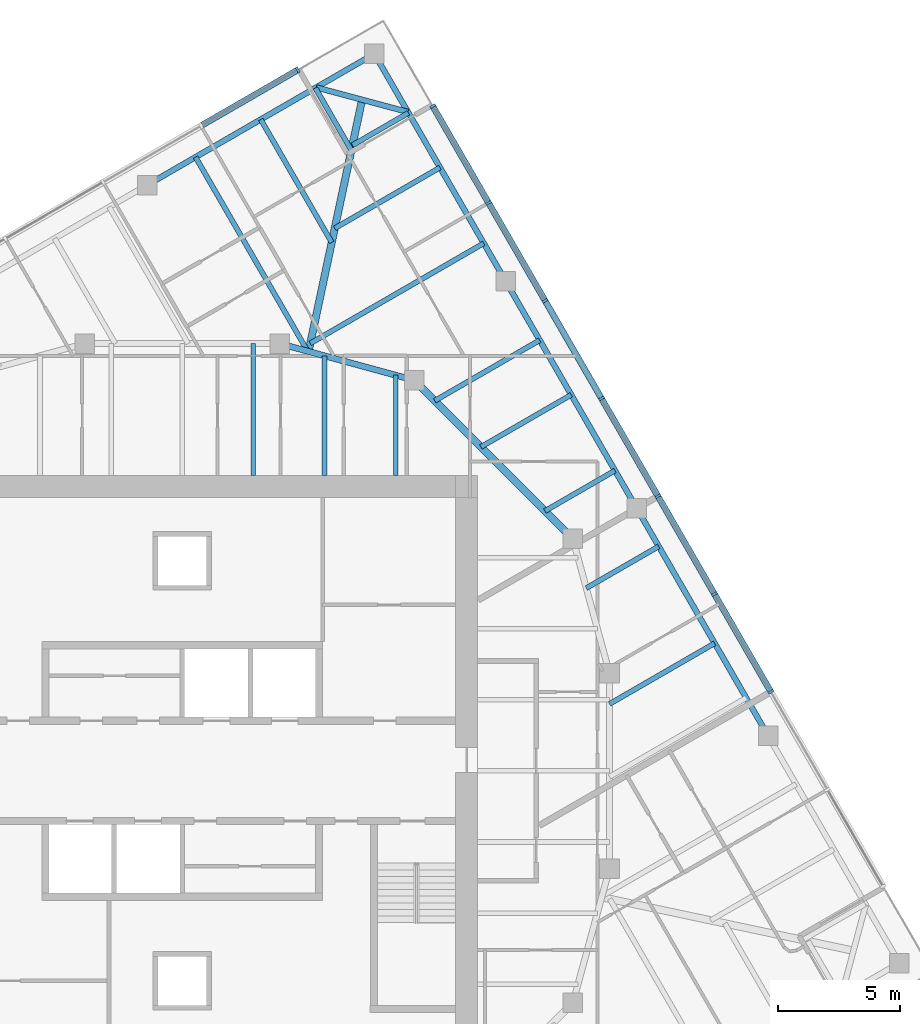
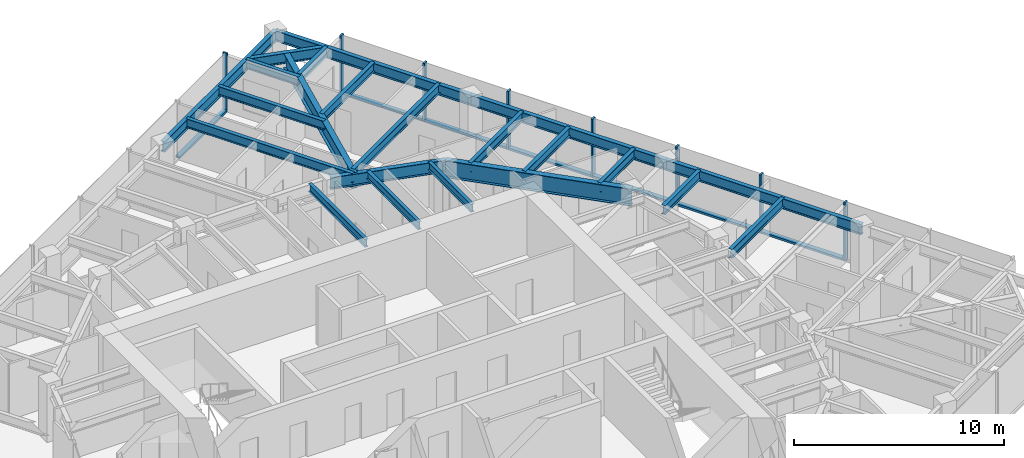
# One storey, part 5 of 13: 22 beams, 15 members, 2 elements without a shape of their own.
"""IFC4 building model written with IfcOpenShell, lengths in metres."""

from ifc_helpers import new_model, si_unit, direction, frame, origin, origin_2d, place, context, subcontext, project, spatial, rectangle, i_section, extrude, material, material_profile, profile_set, type_object, element, aggregate, save


model = new_model("IFC4")

# Units and contexts
model_context = context("Model", 3, precision=1e-05, world=origin(), true_north=direction((0.0, 1.0)))
body_context = subcontext(model_context, "Body", "Model", "MODEL_VIEW")
ifc_project = project(units=[si_unit("LENGTHUNIT", "METRE"), si_unit("AREAUNIT", "SQUARE_METRE"), si_unit("VOLUMEUNIT", "CUBIC_METRE"), si_unit("PLANEANGLEUNIT", "RADIAN"), si_unit("MASSUNIT", "GRAM", prefix="KILO")], contexts=[model_context])

# Site, building, storey
site_placement = place(None, origin())
site = spatial("IfcSite", under=ifc_project, at=site_placement, CompositionType="ELEMENT")
building_placement = place(site_placement, origin())
building = spatial("IfcBuilding", under=site, at=building_placement, Name="Torsade Residences", CompositionType="ELEMENT")
storey_placement = place(building_placement, frame((0.0, 0.0, 215.0)))
storey = spatial("IfcBuildingStorey", under=building, at=storey_placement, Name="L59", CompositionType="ELEMENT", Elevation=215.0)

# Beams
ifc_material_1 = material(Name="Steel grade 300", Category="steel")
ifc_material_profile_1 = material_profile(ifc_material_1, i_section(OverallWidth=0.300048828125, OverallDepth=0.89990234375, WebThickness=0.011962890625, FlangeThickness=0.02490234375, at=origin_2d()), Name="900WB175")
ifc_profile_set_1 = profile_set([ifc_material_profile_1], Name="Steel grade 300")
beam_type_1 = type_object("IfcBeamType", Name="CORNER GIRDER 900WB175", PredefinedType="BEAM", material=ifc_profile_set_1)
beam_1_placement = place(storey_placement, frame((47.3662109375, 57.4912109375, 2.800048828125), z_axis=(-0.20806427425, -0.978115155685, 0.0), x_axis=(0.978115155685, -0.20806427425, 0.0)))
element("IfcBeam", 1, at=beam_1_placement, inside=storey, type_object=beam_type_1, Name="Corner girder 09 L60", PredefinedType="BEAM", context=body_context, shape_type="SweptSolid", body=[
    extrude(i_section(OverallWidth=0.300048828125, OverallDepth=0.89990234375, WebThickness=0.011962890625, FlangeThickness=0.02490234375, at=origin_2d()), origin(), (0.0, 0.0, 1.0), 10.541748046875),
])
ifc_material_2 = material(Name="Steel grade 300", Category="steel")
ifc_material_profile_2 = material_profile(ifc_material_2, i_section(OverallWidth=0.22802734375, OverallDepth=0.60205078125, WebThickness=0.010498046875, FlangeThickness=0.014892578125, FilletRadius=0.013916015625, at=origin_2d()), Name="610UB101")
ifc_profile_set_2 = profile_set([ifc_material_profile_2], Name="Steel grade 300")
beam_type_2 = type_object("IfcBeamType", Name="CORNER TRIMMER 610UB101", PredefinedType="BEAM", material=ifc_profile_set_2)
beam_2_placement = place(storey_placement, frame((45.488037109375, 57.99462890625, 2.948974609375), z_axis=(0.965924794002, -0.258822897619, 0.0), x_axis=(0.258822897619, 0.965924794002, 0.0)))
element("IfcBeam", 2, at=beam_2_placement, inside=storey, type_object=beam_type_2, Name="Corner trimmer 09 L60", PredefinedType="BEAM", context=body_context, shape_type="SweptSolid", body=[
    extrude(i_section(OverallWidth=0.22802734375, OverallDepth=0.60205078125, WebThickness=0.010498046875, FlangeThickness=0.014892578125, FilletRadius=0.013916015625, at=origin_2d()), origin(), (0.0, 0.0, 1.0), 3.88916015625),
])
ifc_material_3 = material(Name="Steel grade 300", Category="steel")
ifc_material_profile_3 = material_profile(ifc_material_3, i_section(OverallWidth=0.22900390625, OverallDepth=0.612060546875, WebThickness=0.011962890625, FlangeThickness=0.01953125, FilletRadius=0.013916015625, at=origin_2d()), Name="610UB125")
ifc_profile_set_3 = profile_set([ifc_material_profile_3], Name="Steel grade 300")
beam_type_3 = type_object("IfcBeamType", Name="EDGE BEAM 610UB125", PredefinedType="SPANDREL", material=ifc_profile_set_3)
for number, where, z_axis, x_axis, name in (
    (3, (63.99462890625, 31.440185546875, 2.944091796875), (-0.499998333915, 0.866026365697, 0.0), (-0.866026365697, -0.499998333915, 0.0), "Edge beam 06 L60"),
    (4, (58.61962890625, 40.75, 2.944091796875), (-0.499998333915, 0.866026365697, 0.0), (-0.866026365697, -0.499998333915, 0.0), "Edge beam 07 L60"),
    (5, (53.24462890625, 50.059814453125, 2.944091796875), (-0.499998333915, 0.866026365697, 0.0), (-0.866026365697, -0.499998333915, 0.0), "Edge beam 08 L60"),
    (6, (47.86962890625, 59.36962890625, 2.944091796875), (-0.866026365697, -0.499998333915, 0.0), (0.499998333915, -0.866026365697, 0.0), "Edge beam 09 L60"),
):
    element("IfcBeam", number, at=place(storey_placement, frame(where, z_axis=z_axis, x_axis=x_axis)), inside=storey, type_object=beam_type_3, Name=name, PredefinedType="SPANDREL", context=body_context, shape_type="SweptSolid", body=[
        extrude(i_section(OverallWidth=0.22900390625, OverallDepth=0.612060546875, WebThickness=0.011962890625, FlangeThickness=0.01953125, FilletRadius=0.013916015625, at=origin_2d()), origin(), (0.0, 0.0, 1.0), 10.75),
    ])

# Curtain wall, members
ifc_material_4 = material(Name="Aluminium and glass", Category="aluminium")
curtain_wall_type = type_object("IfcCurtainWallType", Name="FRITTED GLASS CURTAIN WALL HIGH ZONE", PredefinedType="NOTDEFINED", material=ifc_material_4)
curtain_wall_1_placement = place(storey_placement, origin())
curtain_wall_1 = element("IfcCurtainWall", 7, at=curtain_wall_1_placement, inside=storey, type_object=curtain_wall_type, Name="Curtain wall L59 face 4", PredefinedType="NOTDEFINED")
ifc_material_5 = material(Name="Aluminium mullion", Category="aluminium")
ifc_material_profile_4 = material_profile(ifc_material_5, rectangle(XDim=0.25, YDim=0.10009765625, at=origin_2d()), Name="HIGH ZONE CURTAIN WALL MULLION 250x100")
ifc_profile_set_4 = profile_set([ifc_material_profile_4], Name="Aluminium mullion")
member_type_1 = type_object("IfcMemberType", Name="HIGH ZONE CURTAIN WALL MULLION 250x100", PredefinedType="MULLION", material=ifc_profile_set_4)
member_1_placement = place(storey_placement, frame((64.110595703125, 33.2392578125, 0.0), z_axis=(0.0, 0.0, 1.0), x_axis=(-0.866025404186, -0.499999999305, 0.0)))
member_1 = element("IfcMember", 8, at=member_1_placement, type_object=member_type_1, Name="Mullion 3", PredefinedType="MULLION", context=body_context, shape_type="SweptSolid", body=[
    extrude(rectangle(XDim=0.25, YDim=0.10009765625, at=origin_2d()), origin(), (0.0, 0.0, 1.0), 3.39990234375),
])
member_2_placement = place(storey_placement, frame((61.798095703125, 37.24462890625, 0.0), z_axis=(0.0, 0.0, 1.0), x_axis=(-0.866025404186, -0.499999999305, 0.0)))
member_2 = element("IfcMember", 9, at=member_2_placement, type_object=member_type_1, Name="Mullion 4", PredefinedType="MULLION", context=body_context, shape_type="SweptSolid", body=[
    extrude(rectangle(XDim=0.25, YDim=0.10009765625, at=origin_2d()), origin(), (0.0, 0.0, 1.0), 3.39990234375),
])
member_3_placement = place(storey_placement, frame((59.485595703125, 41.25, 0.0), z_axis=(0.0, 0.0, 1.0), x_axis=(-0.866025404186, -0.499999999305, 0.0)))
member_3 = element("IfcMember", 10, at=member_3_placement, type_object=member_type_1, Name="Mullion 5", PredefinedType="MULLION", context=body_context, shape_type="SweptSolid", body=[
    extrude(rectangle(XDim=0.25, YDim=0.10009765625, at=origin_2d()), origin(), (0.0, 0.0, 1.0), 3.39990234375),
])
member_4_placement = place(storey_placement, frame((57.173095703125, 45.25537109375, 0.0), z_axis=(0.0, 0.0, 1.0), x_axis=(-0.866025404186, -0.499999999305, 0.0)))
member_4 = element("IfcMember", 11, at=member_4_placement, type_object=member_type_1, Name="Mullion 6", PredefinedType="MULLION", context=body_context, shape_type="SweptSolid", body=[
    extrude(rectangle(XDim=0.25, YDim=0.10009765625, at=origin_2d()), origin(), (0.0, 0.0, 1.0), 3.39990234375),
])
member_5_placement = place(storey_placement, frame((54.860595703125, 49.2607421875, 0.0), z_axis=(0.0, 0.0, 1.0), x_axis=(-0.866025404186, -0.499999999305, 0.0)))
member_5 = element("IfcMember", 12, at=member_5_placement, type_object=member_type_1, Name="Mullion 7", PredefinedType="MULLION", context=body_context, shape_type="SweptSolid", body=[
    extrude(rectangle(XDim=0.25, YDim=0.10009765625, at=origin_2d()), origin(), (0.0, 0.0, 1.0), 3.39990234375),
])
member_6_placement = place(storey_placement, frame((52.548095703125, 53.26611328125, 0.0), z_axis=(0.0, 0.0, 1.0), x_axis=(-0.866025404186, -0.499999999305, 0.0)))
member_6 = element("IfcMember", 13, at=member_6_placement, type_object=member_type_1, Name="Mullion 8", PredefinedType="MULLION", context=body_context, shape_type="SweptSolid", body=[
    extrude(rectangle(XDim=0.25, YDim=0.10009765625, at=origin_2d()), origin(), (0.0, 0.0, 1.0), 3.39990234375),
])
member_7_placement = place(storey_placement, frame((50.260498046875, 57.228271484375, 0.0), z_axis=(0.0, 0.0, 1.0), x_axis=(-0.866025404186, -0.499999999305, 0.0)))
member_7 = element("IfcMember", 14, at=member_7_placement, type_object=member_type_1, Name="Mullion 9", PredefinedType="MULLION", context=body_context, shape_type="SweptSolid", body=[
    extrude(rectangle(XDim=0.25, YDim=0.10009765625, at=origin_2d()), origin(), (0.0, 0.0, 1.0), 3.39990234375),
])

# Curtain wall, member
curtain_wall_2_placement = place(storey_placement, origin())
curtain_wall_2 = element("IfcCurtainWall", 15, at=curtain_wall_2_placement, inside=storey, type_object=curtain_wall_type, Name="Curtain wall L59 face 7", PredefinedType="NOTDEFINED")
member_8_placement = place(storey_placement, frame((44.728271484375, 58.710693359375, 0.0), z_axis=(0.0, 0.0, 1.0), x_axis=(0.499999999305, -0.866025404186, 0.0)))
member_8 = element("IfcMember", 16, at=member_8_placement, type_object=member_type_1, Name="Mullion 1", PredefinedType="MULLION", context=body_context, shape_type="SweptSolid", body=[
    extrude(rectangle(XDim=0.25, YDim=0.10009765625, at=origin_2d()), origin(), (0.0, 0.0, 1.0), 3.39990234375),
])

# Member
ifc_material_6 = material(Name="Aluminium transom", Category="aluminium")
ifc_material_profile_5 = material_profile(ifc_material_6, rectangle(XDim=0.25, YDim=0.1201171875, at=origin_2d()), Name="HIGH ZONE CURTAIN WALL TRANSOM 250x120")
ifc_profile_set_5 = profile_set([ifc_material_profile_5], Name="Aluminium transom")
member_type_2 = type_object("IfcMemberType", Name="HIGH ZONE CURTAIN WALL TRANSOM 250x120", PredefinedType="USERDEFINED", material=ifc_profile_set_5)
member_9_placement = place(storey_placement, frame((64.085693359375, 33.282470703125, 0.06005859375), z_axis=(-0.500015112013, 0.866016678684, 0.0), x_axis=(-0.866016678684, -0.500015112013, 0.0)))
member_9 = element("IfcMember", 17, at=member_9_placement, type_object=member_type_2, Name="Transom 3.1", ObjectType="TRANSOM", PredefinedType="USERDEFINED", context=body_context, shape_type="SweptSolid", body=[
    extrude(rectangle(XDim=0.25, YDim=0.1201171875, at=origin_2d()), origin(), (0.0, 0.0, 1.0), 4.525146484375),
])

member_10_placement = place(storey_placement, frame((61.773193359375, 37.287841796875, 0.06005859375), z_axis=(-0.500015112013, 0.866016678684, 0.0), x_axis=(-0.866016678684, -0.500015112013, 0.0)))
member_10 = element("IfcMember", 18, at=member_10_placement, type_object=member_type_2, Name="Transom 4.1", ObjectType="TRANSOM", PredefinedType="USERDEFINED", context=body_context, shape_type="SweptSolid", body=[
    extrude(rectangle(XDim=0.25, YDim=0.1201171875, at=origin_2d()), origin(), (0.0, 0.0, 1.0), 4.525146484375),
])

member_11_placement = place(storey_placement, frame((59.460693359375, 41.293212890625, 0.06005859375), z_axis=(-0.500015112013, 0.866016678684, 0.0), x_axis=(-0.866016678684, -0.500015112013, 0.0)))
member_11 = element("IfcMember", 19, at=member_11_placement, type_object=member_type_2, Name="Transom 5.1", ObjectType="TRANSOM", PredefinedType="USERDEFINED", context=body_context, shape_type="SweptSolid", body=[
    extrude(rectangle(XDim=0.25, YDim=0.1201171875, at=origin_2d()), origin(), (0.0, 0.0, 1.0), 4.525146484375),
])

member_12_placement = place(storey_placement, frame((57.148193359375, 45.298583984375, 0.06005859375), z_axis=(-0.500015112013, 0.866016678684, 0.0), x_axis=(-0.866016678684, -0.500015112013, 0.0)))
member_12 = element("IfcMember", 20, at=member_12_placement, type_object=member_type_2, Name="Transom 6.1", ObjectType="TRANSOM", PredefinedType="USERDEFINED", context=body_context, shape_type="SweptSolid", body=[
    extrude(rectangle(XDim=0.25, YDim=0.1201171875, at=origin_2d()), origin(), (0.0, 0.0, 1.0), 4.525146484375),
])

member_13_placement = place(storey_placement, frame((54.835693359375, 49.303955078125, 0.06005859375), z_axis=(-0.500015112013, 0.866016678684, 0.0), x_axis=(-0.866016678684, -0.500015112013, 0.0)))
member_13 = element("IfcMember", 21, at=member_13_placement, type_object=member_type_2, Name="Transom 7.1", ObjectType="TRANSOM", PredefinedType="USERDEFINED", context=body_context, shape_type="SweptSolid", body=[
    extrude(rectangle(XDim=0.25, YDim=0.1201171875, at=origin_2d()), origin(), (0.0, 0.0, 1.0), 4.525146484375),
])

member_14_placement = place(storey_placement, frame((52.523193359375, 53.309326171875, 0.06005859375), z_axis=(-0.50000580312, 0.866022053326, 0.0), x_axis=(-0.866022053326, -0.50000580312, 0.0)))
member_14 = element("IfcMember", 22, at=member_14_placement, type_object=member_type_2, Name="Transom 8.1", ObjectType="TRANSOM", PredefinedType="USERDEFINED", context=body_context, shape_type="SweptSolid", body=[
    extrude(rectangle(XDim=0.25, YDim=0.1201171875, at=origin_2d()), origin(), (0.0, 0.0, 1.0), 4.47509765625),
])

aggregate(curtain_wall_1, [member_1, member_2, member_3, member_4, member_5, member_6, member_7, member_9, member_10, member_11, member_12, member_13, member_14])

member_15_placement = place(storey_placement, frame((44.684814453125, 58.685546875, 0.06005859375), z_axis=(-0.866022053326, -0.50000580312, 0.0), x_axis=(0.50000580312, -0.866022053326, 0.0)))
member_15 = element("IfcMember", 23, at=member_15_placement, type_object=member_type_2, Name="Transom 1.1", ObjectType="TRANSOM", PredefinedType="USERDEFINED", context=body_context, shape_type="SweptSolid", body=[
    extrude(rectangle(XDim=0.25, YDim=0.1201171875, at=origin_2d()), origin(), (0.0, 0.0, 1.0), 4.47509765625),
])

aggregate(curtain_wall_2, [member_8, member_15])

# Beams
ifc_material_7 = material(Name="Steel grade 300", Category="steel")
ifc_material_profile_6 = material_profile(ifc_material_7, i_section(OverallWidth=0.18994140625, OverallDepth=0.4541015625, WebThickness=0.008544921875, FlangeThickness=0.0126953125, FilletRadius=0.011474609375, at=origin_2d()), Name="460UB67.1")
ifc_profile_set_6 = profile_set([ifc_material_profile_6], Name="Steel grade 300")
beam_type_4 = type_object("IfcBeamType", Name="INNER FLOOR BEAM 460UB67.1", PredefinedType="JOIST", material=ifc_profile_set_6)
beam_3_placement = place(storey_placement, frame((42.91259765625, 42.10009765625, 3.02294921875), z_axis=(0.0, 1.0, 0.0), x_axis=(-1.0, 0.0, 0.0)))
element("IfcBeam", 24, at=beam_3_placement, inside=storey, type_object=beam_type_4, Name="Inner floor beam IN05 L60", PredefinedType="JOIST", context=body_context, shape_type="SweptSolid", body=[
    extrude(i_section(OverallWidth=0.18994140625, OverallDepth=0.4541015625, WebThickness=0.008544921875, FlangeThickness=0.0126953125, FilletRadius=0.011474609375, at=origin_2d()), origin(), (0.0, 0.0, 1.0), 5.39990234375),
])
beam_4_placement = place(storey_placement, frame((45.824951171875, 42.10009765625, 3.02294921875), z_axis=(0.0, 1.0, 0.0), x_axis=(-1.0, 0.0, 0.0)))
element("IfcBeam", 25, at=beam_4_placement, inside=storey, type_object=beam_type_4, Name="Inner floor beam IN06 L60", PredefinedType="JOIST", context=body_context, shape_type="SweptSolid", body=[
    extrude(i_section(OverallWidth=0.18994140625, OverallDepth=0.4541015625, WebThickness=0.008544921875, FlangeThickness=0.0126953125, FilletRadius=0.011474609375, at=origin_2d()), origin(), (0.0, 0.0, 1.0), 4.902099609375),
])
beam_5_placement = place(storey_placement, frame((48.737548828125, 42.10009765625, 3.02294921875), z_axis=(0.0, 1.0, 0.0), x_axis=(-1.0, 0.0, 0.0)))
element("IfcBeam", 26, at=beam_5_placement, inside=storey, type_object=beam_type_4, Name="Inner floor beam IN07 L60", PredefinedType="JOIST", context=body_context, shape_type="SweptSolid", body=[
    extrude(i_section(OverallWidth=0.18994140625, OverallDepth=0.4541015625, WebThickness=0.008544921875, FlangeThickness=0.0126953125, FilletRadius=0.011474609375, at=origin_2d()), origin(), (0.0, 0.0, 1.0), 4.10791015625),
])
ifc_material_8 = material(Name="Steel grade 300", Category="steel")
ifc_material_profile_7 = material_profile(ifc_material_8, i_section(OverallWidth=0.300048828125, OverallDepth=1.0, WebThickness=0.01611328125, FlangeThickness=0.028076171875, at=origin_2d()), Name="1000WB215")
ifc_profile_set_7 = profile_set([ifc_material_profile_7], Name="Steel grade 300")
beam_type_5 = type_object("IfcBeamType", Name="RING CORNER GIRDER 1000WB215", PredefinedType="BEAM", material=ifc_profile_set_7)
beam_6_placement = place(storey_placement, frame((56.0, 39.5, 2.75), z_axis=(-0.707106781187, 0.707106781187, 0.0), x_axis=(-0.707106781187, -0.707106781187, 0.0)))
element("IfcBeam", 27, at=beam_6_placement, inside=storey, type_object=beam_type_5, Name="Ring girder IR03 L60", PredefinedType="BEAM", context=body_context, shape_type="SweptSolid", body=[
    extrude(i_section(OverallWidth=0.300048828125, OverallDepth=1.0, WebThickness=0.01611328125, FlangeThickness=0.028076171875, at=origin_2d()), origin(), (0.0, 0.0, 1.0), 9.1923828125),
])
ifc_material_9 = material(Name="Steel grade 300", Category="steel")
ifc_material_profile_8 = material_profile(ifc_material_9, i_section(OverallWidth=0.25, OverallDepth=0.699951171875, WebThickness=0.010009765625, FlangeThickness=0.02001953125, at=origin_2d()), Name="700WB130")
ifc_profile_set_8 = profile_set([ifc_material_profile_8], Name="Steel grade 300")
beam_type_6 = type_object("IfcBeamType", Name="RING GIRDER 700WB130", PredefinedType="BEAM", material=ifc_profile_set_8)
beam_7_placement = place(storey_placement, frame((49.5, 46.0, 2.89990234375), z_axis=(-0.964763821238, 0.263117405792, 0.0), x_axis=(-0.263117405792, -0.964763821238, 0.0)))
element("IfcBeam", 28, at=beam_7_placement, inside=storey, type_object=beam_type_6, Name="Ring girder IR04 L60", PredefinedType="BEAM", context=body_context, shape_type="SweptSolid", body=[
    extrude(i_section(OverallWidth=0.25, OverallDepth=0.699951171875, WebThickness=0.010009765625, FlangeThickness=0.02001953125, at=origin_2d()), origin(), (0.0, 0.0, 1.0), 5.700927734375),
])
ifc_material_10 = material(Name="Steel grade 300", Category="steel")
ifc_material_profile_9 = material_profile(ifc_material_10, i_section(OverallWidth=0.208984375, OverallDepth=0.528076171875, WebThickness=0.009521484375, FlangeThickness=0.01318359375, FilletRadius=0.013916015625, at=origin_2d()), Name="530UB82.0")
ifc_profile_set_9 = profile_set([ifc_material_profile_9], Name="Steel grade 300")
beam_type_7 = type_object("IfcBeamType", Name="SECONDARY BEAM 530UB82.0", PredefinedType="JOIST", material=ifc_profile_set_9)
beam_8_placement = place(storey_placement, frame((61.80712890625, 35.22900390625, 2.986083984375), z_axis=(-0.866038443216, -0.499977414361, 0.0), x_axis=(0.499977414361, -0.866038443216, 0.0)))
element("IfcBeam", 29, at=beam_8_placement, inside=storey, type_object=beam_type_7, Name="Floor beam FE05 L60", PredefinedType="JOIST", context=body_context, shape_type="SweptSolid", body=[
    extrude(i_section(OverallWidth=0.208984375, OverallDepth=0.528076171875, WebThickness=0.009521484375, FlangeThickness=0.01318359375, FilletRadius=0.013916015625, at=origin_2d()), origin(), (0.0, 0.0, 1.0), 4.973388671875),
])
beam_9_placement = place(storey_placement, frame((59.515380859375, 39.198486328125, 2.986083984375), z_axis=(-0.866001587311, -0.500041249073, 0.0), x_axis=(0.500041249073, -0.866001587311, 0.0)))
element("IfcBeam", 30, at=beam_9_placement, inside=storey, type_object=beam_type_7, Name="Floor beam FE06 L60", PredefinedType="JOIST", context=body_context, shape_type="SweptSolid", body=[
    extrude(i_section(OverallWidth=0.208984375, OverallDepth=0.528076171875, WebThickness=0.009521484375, FlangeThickness=0.01318359375, FilletRadius=0.013916015625, at=origin_2d()), origin(), (0.0, 0.0, 1.0), 3.425048828125),
])
beam_10_placement = place(storey_placement, frame((57.7236328125, 42.301513671875, 2.986083984375), z_axis=(-0.866039541186, -0.499975512502, 0.0), x_axis=(0.499975512502, -0.866039541186, 0.0)))
element("IfcBeam", 31, at=beam_10_placement, inside=storey, type_object=beam_type_7, Name="Floor beam FE07 L60", PredefinedType="JOIST", context=body_context, shape_type="SweptSolid", body=[
    extrude(i_section(OverallWidth=0.208984375, OverallDepth=0.528076171875, WebThickness=0.009521484375, FlangeThickness=0.01318359375, FilletRadius=0.013916015625, at=origin_2d()), origin(), (0.0, 0.0, 1.0), 3.312744140625),
])
beam_11_placement = place(storey_placement, frame((55.93212890625, 45.40478515625, 2.986083984375), z_axis=(-0.866022880939, -0.500004369671, 0.0), x_axis=(0.500004369671, -0.866022880939, 0.0)))
element("IfcBeam", 32, at=beam_11_placement, inside=storey, type_object=beam_type_7, Name="Floor beam FE08 L60", PredefinedType="JOIST", context=body_context, shape_type="SweptSolid", body=[
    extrude(i_section(OverallWidth=0.208984375, OverallDepth=0.528076171875, WebThickness=0.009521484375, FlangeThickness=0.01318359375, FilletRadius=0.013916015625, at=origin_2d()), origin(), (0.0, 0.0, 1.0), 4.27294921875),
])
beam_12_placement = place(storey_placement, frame((54.640380859375, 47.64208984375, 2.986083984375), z_axis=(-0.866043933037, -0.49996790502, 0.0), x_axis=(0.49996790502, -0.866043933037, 0.0)))
element("IfcBeam", 33, at=beam_12_placement, inside=storey, type_object=beam_type_7, Name="Floor beam FE09 L60", PredefinedType="JOIST", context=body_context, shape_type="SweptSolid", body=[
    extrude(i_section(OverallWidth=0.208984375, OverallDepth=0.528076171875, WebThickness=0.009521484375, FlangeThickness=0.01318359375, FilletRadius=0.013916015625, at=origin_2d()), origin(), (0.0, 0.0, 1.0), 4.965087890625),
])
beam_13_placement = place(storey_placement, frame((52.3486328125, 51.611328125, 2.986083984375), z_axis=(-0.866030002502, -0.499992034702, 0.0), x_axis=(0.499992034702, -0.866030002502, 0.0)))
element("IfcBeam", 34, at=beam_13_placement, inside=storey, type_object=beam_type_7, Name="Floor beam FE10 L60", PredefinedType="JOIST", context=body_context, shape_type="SweptSolid", body=[
    extrude(i_section(OverallWidth=0.208984375, OverallDepth=0.528076171875, WebThickness=0.009521484375, FlangeThickness=0.01318359375, FilletRadius=0.013916015625, at=origin_2d()), origin(), (0.0, 0.0, 1.0), 8.205322265625),
])
beam_14_placement = place(storey_placement, frame((50.55712890625, 54.714599609375, 2.986083984375), z_axis=(-0.866043477274, -0.499968694491, 0.0), x_axis=(0.499968694491, -0.866043477274, 0.0)))
element("IfcBeam", 35, at=beam_14_placement, inside=storey, type_object=beam_type_7, Name="Floor beam FE11 L60", PredefinedType="JOIST", context=body_context, shape_type="SweptSolid", body=[
    extrude(i_section(OverallWidth=0.208984375, OverallDepth=0.528076171875, WebThickness=0.009521484375, FlangeThickness=0.01318359375, FilletRadius=0.013916015625, at=origin_2d()), origin(), (0.0, 0.0, 1.0), 4.977783203125),
])
beam_15_placement = place(storey_placement, frame((49.265380859375, 56.951904296875, 2.986083984375), z_axis=(-0.866041431316, -0.499972238474, 0.0), x_axis=(0.499972238474, -0.866041431316, 0.0)))
element("IfcBeam", 36, at=beam_15_placement, inside=storey, type_object=beam_type_7, Name="Floor beam FE12 L60", PredefinedType="JOIST", context=body_context, shape_type="SweptSolid", body=[
    extrude(i_section(OverallWidth=0.208984375, OverallDepth=0.528076171875, WebThickness=0.009521484375, FlangeThickness=0.01318359375, FilletRadius=0.013916015625, at=origin_2d()), origin(), (0.0, 0.0, 1.0), 2.651123046875),
])
beam_16_placement = place(storey_placement, frame((45.451904296875, 57.9736328125, 2.986083984375), z_axis=(0.500014013, -0.866017313224, 0.0), x_axis=(0.866017313224, 0.500014013, 0.0)))
element("IfcBeam", 37, at=beam_16_placement, inside=storey, type_object=beam_type_7, Name="Floor beam FN01 L60", PredefinedType="JOIST", context=body_context, shape_type="SweptSolid", body=[
    extrude(i_section(OverallWidth=0.208984375, OverallDepth=0.528076171875, WebThickness=0.009521484375, FlangeThickness=0.01318359375, FilletRadius=0.013916015625, at=origin_2d()), origin(), (0.0, 0.0, 1.0), 2.94775390625),
])
beam_17_placement = place(storey_placement, frame((43.214599609375, 56.68212890625, 2.986083984375), z_axis=(0.499990133118, -0.866031100357, 0.0), x_axis=(0.866031100357, 0.499990133118, 0.0)))
element("IfcBeam", 38, at=beam_17_placement, inside=storey, type_object=beam_type_7, Name="Floor beam FN02 L60", PredefinedType="JOIST", context=body_context, shape_type="SweptSolid", body=[
    extrude(i_section(OverallWidth=0.208984375, OverallDepth=0.528076171875, WebThickness=0.009521484375, FlangeThickness=0.01318359375, FilletRadius=0.013916015625, at=origin_2d()), origin(), (0.0, 0.0, 1.0), 5.81591796875),
])
beam_18_placement = place(storey_placement, frame((40.54443359375, 55.140380859375, 2.986083984375), z_axis=(0.500006393711, -0.866021712342, 0.0), x_axis=(0.866021712342, 0.500006393711, 0.0)))
element("IfcBeam", 39, at=beam_18_placement, inside=storey, type_object=beam_type_7, Name="Floor beam FN03 L60", PredefinedType="JOIST", context=body_context, shape_type="SweptSolid", body=[
    extrude(i_section(OverallWidth=0.208984375, OverallDepth=0.528076171875, WebThickness=0.009521484375, FlangeThickness=0.01318359375, FilletRadius=0.013916015625, at=origin_2d()), origin(), (0.0, 0.0, 1.0), 9.1796875),
])

save(model, "model.ifc")
